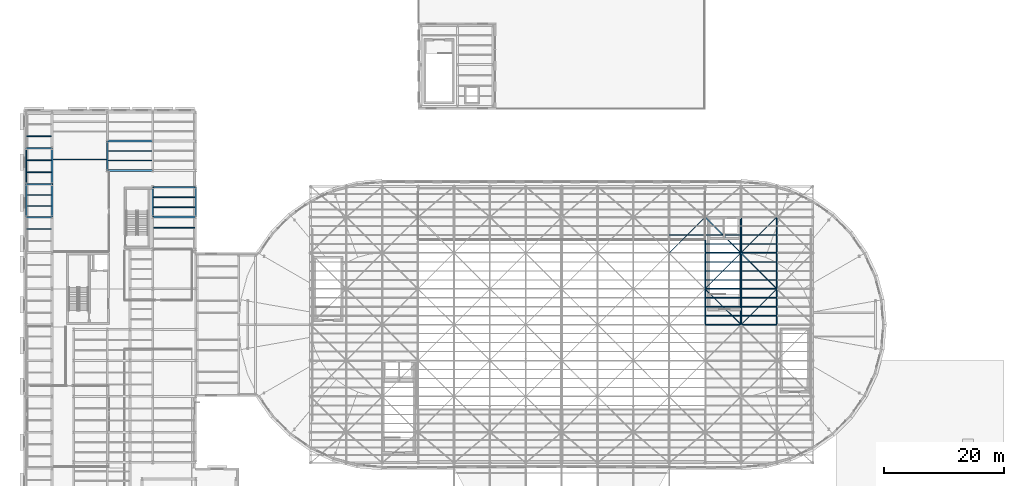
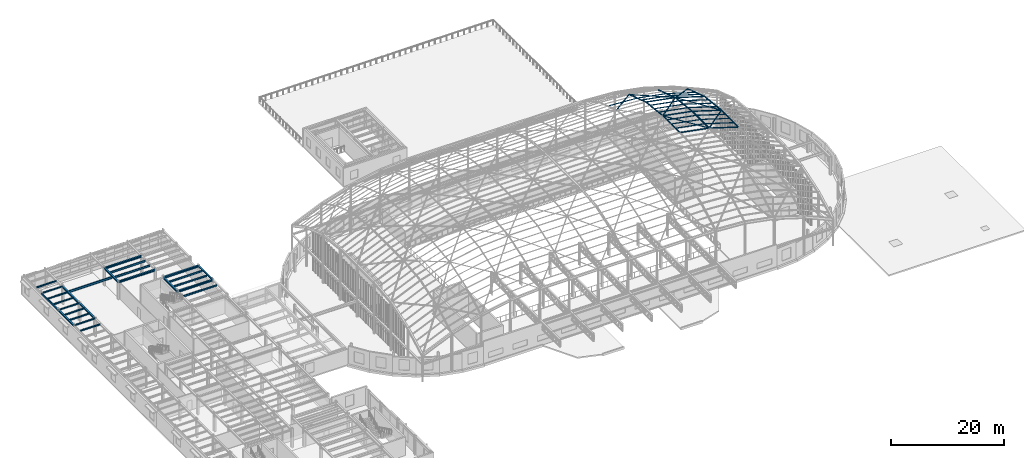
# One storey, part 34 of 75: 39 members, 26 beams.
"""IFC4 building model written with IfcOpenShell, lengths in metres."""

from ifc_helpers import new_model, si_unit, direction, frame, origin, origin_2d, place, context, subcontext, project, spatial, hollow_rectangle, hollow_circle, i_section, extrude, material, material_profile, profile_set, type_object, element, save


model = new_model("IFC4")

# Units and contexts
model_context = context("Model", 3, precision=1e-05, world=origin(), true_north=direction((0.0, 1.0)))
body_context = subcontext(model_context, "Body", "Model", "MODEL_VIEW")
ifc_project = project(units=[si_unit("LENGTHUNIT", "METRE"), si_unit("AREAUNIT", "SQUARE_METRE"), si_unit("VOLUMEUNIT", "CUBIC_METRE"), si_unit("PLANEANGLEUNIT", "RADIAN"), si_unit("MASSUNIT", "GRAM", prefix="KILO")], contexts=[model_context])

# Site, building, storey
site_placement = place(None, origin())
site = spatial("IfcSite", under=ifc_project, at=site_placement, CompositionType="ELEMENT")
building_placement = place(site_placement, origin())
building = spatial("IfcBuilding", under=site, at=building_placement, Name="Kolvaren Corner Interchange", CompositionType="ELEMENT")
storey_placement = place(building_placement, frame((0.0, 0.0, 10.5)))
storey = spatial("IfcBuildingStorey", under=building, at=storey_placement, Name="L03", CompositionType="ELEMENT", Elevation=10.5)

# Beams
ifc_material_1 = material(Name="Steel S355", Category="steel")
ifc_material_profile_1 = material_profile(ifc_material_1, i_section(OverallWidth=0.239990234375, OverallDepth=0.22998046875, WebThickness=0.007568359375, FlangeThickness=0.011962890625, FilletRadius=0.02099609375, at=origin_2d()), Name="HEA 240")
ifc_profile_set_1 = profile_set([ifc_material_profile_1], Name="Steel S355")
beam_type_1 = type_object("IfcBeamType", Name="BM-HEA240", PredefinedType="BEAM", material=ifc_profile_set_1)
for number, where, z_axis, x_axis, name in (
    (1, (0.449951171875, 66.0, 3.8349609375), (1.0, 0.0, 0.0), (0.0, 1.0, 0.0), "Storey L03 Grid X Primary Girder 0958"),
    (2, (0.449951171875, 71.5, 3.8349609375), (1.0, 0.0, 0.0), (0.0, 1.0, 0.0), "Storey L03 Grid X Primary Girder 0959"),
    (3, (0.449951171875, 77.5, 3.81494140625), (1.0, 0.0, 0.0), (0.0, 1.0, 0.0), "Storey L03 Grid X Primary Girder 0962"),
):
    element("IfcBeam", number, at=place(storey_placement, frame(where, z_axis=z_axis, x_axis=x_axis)), inside=storey, type_object=beam_type_1, Name=name, PredefinedType="BEAM", context=body_context, shape_type="SweptSolid", body=[
        extrude(i_section(OverallWidth=0.239990234375, OverallDepth=0.22998046875, WebThickness=0.007568359375, FlangeThickness=0.011962890625, FilletRadius=0.02099609375, at=origin_2d()), origin(), (0.0, 0.0, 1.0), 4.300048828125),
    ])
ifc_material_2 = material(Name="Steel S355", Category="steel")
ifc_material_profile_2 = material_profile(ifc_material_2, i_section(OverallWidth=0.300048828125, OverallDepth=0.31005859375, WebThickness=0.009033203125, FlangeThickness=0.015380859375, FilletRadius=0.027099609375, at=origin_2d()), Name="HEA 320")
ifc_profile_set_2 = profile_set([ifc_material_profile_2], Name="Steel S355")
beam_type_2 = type_object("IfcBeamType", Name="BM-HEA320", PredefinedType="BEAM", material=ifc_profile_set_2)
for number, where, z_axis, x_axis, name in (
    (4, (21.60009765625, 66.0, 3.77490234375), (0.0, 1.0, 0.0), (-1.0, 0.0, 0.0), "Storey L03 Grid Y Primary Girder 0911"),
    (5, (28.800048828125, 66.0, 3.77490234375), (0.0, 1.0, 0.0), (-1.0, 0.0, 0.0), "Storey L03 Grid Y Primary Girder 0919"),
):
    element("IfcBeam", number, at=place(storey_placement, frame(where, z_axis=z_axis, x_axis=x_axis)), inside=storey, type_object=beam_type_2, Name=name, PredefinedType="BEAM", context=body_context, shape_type="SweptSolid", body=[
        extrude(i_section(OverallWidth=0.300048828125, OverallDepth=0.31005859375, WebThickness=0.009033203125, FlangeThickness=0.015380859375, FilletRadius=0.027099609375, at=origin_2d()), origin(), (0.0, 0.0, 1.0), 5.0),
    ])
for number, where, z_axis, x_axis, name in (
    (6, (0.449951171875, 66.0, 3.794921875), (0.0, 1.0, 0.0), (-1.0, 0.0, 0.0), "Storey L03 Grid Y Primary Girder 0985"),
    (7, (4.75, 66.0, 3.794921875), (0.0, 1.0, 0.0), (-1.0, 0.0, 0.0), "Storey L03 Grid Y Primary Girder 0999"),
):
    element("IfcBeam", number, at=place(storey_placement, frame(where, z_axis=z_axis, x_axis=x_axis)), inside=storey, type_object=beam_type_2, Name=name, PredefinedType="BEAM", context=body_context, shape_type="SweptSolid", body=[
        extrude(i_section(OverallWidth=0.300048828125, OverallDepth=0.31005859375, WebThickness=0.009033203125, FlangeThickness=0.015380859375, FilletRadius=0.027099609375, at=origin_2d()), origin(), (0.0, 0.0, 1.0), 5.5),
    ])
beam_1_placement = place(storey_placement, frame((14.0, 73.800048828125, 3.77490234375), z_axis=(0.0, 1.0, 0.0), x_axis=(-1.0, 0.0, 0.0)))
element("IfcBeam", 8, at=beam_1_placement, inside=storey, type_object=beam_type_2, Name="Storey L03 Grid Y Primary Girder 1002", PredefinedType="BEAM", context=body_context, shape_type="SweptSolid", body=[
    extrude(i_section(OverallWidth=0.300048828125, OverallDepth=0.31005859375, WebThickness=0.009033203125, FlangeThickness=0.015380859375, FilletRadius=0.027099609375, at=origin_2d()), origin(), (0.0, 0.0, 1.0), 4.89990234375),
])
ifc_material_3 = material(Name="Steel S355", Category="steel")
ifc_material_profile_3 = material_profile(ifc_material_3, i_section(OverallWidth=0.300048828125, OverallDepth=0.35009765625, WebThickness=0.010009765625, FlangeThickness=0.017578125, FilletRadius=0.027099609375, at=origin_2d()), Name="HEA 360")
ifc_profile_set_3 = profile_set([ifc_material_profile_3], Name="Steel S355")
beam_type_3 = type_object("IfcBeamType", Name="BM-HEA360", PredefinedType="BEAM", material=ifc_profile_set_3)
beam_2_placement = place(storey_placement, frame((4.75, 71.5, 3.7548828125), z_axis=(0.0, 1.0, 0.0), x_axis=(-1.0, 0.0, 0.0)))
element("IfcBeam", 9, at=beam_2_placement, inside=storey, type_object=beam_type_3, Name="Storey L03 Grid Y Primary Girder 1000", PredefinedType="BEAM", context=body_context, shape_type="SweptSolid", body=[
    extrude(i_section(OverallWidth=0.300048828125, OverallDepth=0.35009765625, WebThickness=0.010009765625, FlangeThickness=0.017578125, FilletRadius=0.027099609375, at=origin_2d()), origin(), (0.0, 0.0, 1.0), 6.0),
])
ifc_material_4 = material(Name="Steel S355", Category="steel")
ifc_material_profile_4 = material_profile(ifc_material_4, i_section(OverallWidth=0.300048828125, OverallDepth=0.389892578125, WebThickness=0.010986328125, FlangeThickness=0.01904296875, FilletRadius=0.027099609375, at=origin_2d()), Name="HEA 400")
ifc_profile_set_4 = profile_set([ifc_material_profile_4], Name="Steel S355")
beam_type_4 = type_object("IfcBeamType", Name="BM-HEA400", PredefinedType="BEAM", material=ifc_profile_set_4)
for number, where, z_axis, x_axis, name in (
    (10, (21.60009765625, 66.0, 3.735107421875), (1.0, 0.0, 0.0), (0.0, 1.0, 0.0), "Storey L03 Grid X Primary Girder 0871"),
    (11, (21.60009765625, 71.0, 3.735107421875), (1.0, 0.0, 0.0), (0.0, 1.0, 0.0), "Storey L03 Grid X Primary Girder 0872"),
):
    element("IfcBeam", number, at=place(storey_placement, frame(where, z_axis=z_axis, x_axis=x_axis)), inside=storey, type_object=beam_type_4, Name=name, PredefinedType="BEAM", context=body_context, shape_type="SweptSolid", body=[
        extrude(i_section(OverallWidth=0.300048828125, OverallDepth=0.389892578125, WebThickness=0.010986328125, FlangeThickness=0.01904296875, FilletRadius=0.027099609375, at=origin_2d()), origin(), (0.0, 0.0, 1.0), 7.199951171875),
    ])
for number, where, z_axis, x_axis, name in (
    (12, (14.0, 73.800048828125, 3.735107421875), (1.0, 0.0, 0.0), (0.0, 1.0, 0.0), "Storey L03 Grid X Primary Girder 0960"),
    (13, (14.0, 78.699951171875, 3.735107421875), (1.0, 0.0, 0.0), (0.0, 1.0, 0.0), "Storey L03 Grid X Primary Girder 0963"),
):
    element("IfcBeam", number, at=place(storey_placement, frame(where, z_axis=z_axis, x_axis=x_axis)), inside=storey, type_object=beam_type_4, Name=name, PredefinedType="BEAM", context=body_context, shape_type="SweptSolid", body=[
        extrude(i_section(OverallWidth=0.300048828125, OverallDepth=0.389892578125, WebThickness=0.010986328125, FlangeThickness=0.01904296875, FilletRadius=0.027099609375, at=origin_2d()), origin(), (0.0, 0.0, 1.0), 7.60009765625),
    ])
ifc_material_5 = material(Name="Steel S355", Category="steel")
ifc_material_profile_5 = material_profile(ifc_material_5, i_section(OverallWidth=0.1201171875, OverallDepth=0.239990234375, WebThickness=0.006103515625, FlangeThickness=0.009765625, FilletRadius=0.014892578125, at=origin_2d()), Name="IPE 240")
ifc_profile_set_5 = profile_set([ifc_material_profile_5], Name="Steel S355")
beam_type_5 = type_object("IfcBeamType", Name="JS-IPE240", PredefinedType="JOIST", material=ifc_profile_set_5)
beam_3_placement = place(storey_placement, frame((0.550048828125, 64.0, 3.830078125), z_axis=(1.0, 0.0, 0.0), x_axis=(0.0, 1.0, 0.0)))
element("IfcBeam", 14, at=beam_3_placement, inside=storey, type_object=beam_type_5, Name="Storey L03 Composite Floor Joist 0854", PredefinedType="JOIST", context=body_context, shape_type="SweptSolid", body=[
    extrude(i_section(OverallWidth=0.1201171875, OverallDepth=0.239990234375, WebThickness=0.006103515625, FlangeThickness=0.009765625, FilletRadius=0.014892578125, at=origin_2d()), origin(), (0.0, 0.0, 1.0), 4.050048828125),
])
for number, where, z_axis, x_axis, name in (
    (15, (0.60009765625, 67.833251953125, 3.830078125), (1.0, 0.0, 0.0), (0.0, 1.0, 0.0), "Storey L03 Composite Floor Joist 0855"),
    (16, (0.60009765625, 69.666748046875, 3.830078125), (1.0, 0.0, 0.0), (0.0, 1.0, 0.0), "Storey L03 Composite Floor Joist 0856"),
):
    element("IfcBeam", number, at=place(storey_placement, frame(where, z_axis=z_axis, x_axis=x_axis)), inside=storey, type_object=beam_type_5, Name=name, PredefinedType="JOIST", context=body_context, shape_type="SweptSolid", body=[
        extrude(i_section(OverallWidth=0.1201171875, OverallDepth=0.239990234375, WebThickness=0.006103515625, FlangeThickness=0.009765625, FilletRadius=0.014892578125, at=origin_2d()), origin(), (0.0, 0.0, 1.0), 4.0),
    ])
for number, where, z_axis, x_axis, name in (
    (17, (0.550048828125, 73.5, 3.81005859375), (1.0, 0.0, 0.0), (0.0, 1.0, 0.0), "Storey L03 Composite Floor Joist 0857"),
    (18, (0.550048828125, 75.5, 3.81005859375), (1.0, 0.0, 0.0), (0.0, 1.0, 0.0), "Storey L03 Composite Floor Joist 0858"),
    (19, (0.550048828125, 79.5166015625, 3.81005859375), (1.0, 0.0, 0.0), (0.0, 1.0, 0.0), "Storey L03 Composite Floor Joist 0859"),
):
    element("IfcBeam", number, at=place(storey_placement, frame(where, z_axis=z_axis, x_axis=x_axis)), inside=storey, type_object=beam_type_5, Name=name, PredefinedType="JOIST", context=body_context, shape_type="SweptSolid", body=[
        extrude(i_section(OverallWidth=0.1201171875, OverallDepth=0.239990234375, WebThickness=0.006103515625, FlangeThickness=0.009765625, FilletRadius=0.014892578125, at=origin_2d()), origin(), (0.0, 0.0, 1.0), 4.050048828125),
    ])
ifc_material_6 = material(Name="Steel S355", Category="steel")
ifc_material_profile_6 = material_profile(ifc_material_6, i_section(OverallWidth=0.169921875, OverallDepth=0.360107421875, WebThickness=0.008056640625, FlangeThickness=0.0126953125, FilletRadius=0.01806640625, at=origin_2d()), Name="IPE 360")
ifc_profile_set_6 = profile_set([ifc_material_profile_6], Name="Steel S355")
beam_type_6 = type_object("IfcBeamType", Name="JS-IPE360", PredefinedType="JOIST", material=ifc_profile_set_6)
for number, where, z_axis, x_axis, name in (
    (20, (21.75, 64.199951171875, 3.75), (1.0, 0.0, 0.0), (0.0, 1.0, 0.0), "Storey L03 Composite Floor Joist 0820"),
    (21, (21.75, 67.666748046875, 3.75), (1.0, 0.0, 0.0), (0.0, 1.0, 0.0), "Storey L03 Composite Floor Joist 0821"),
    (22, (21.75, 69.333251953125, 3.75), (1.0, 0.0, 0.0), (0.0, 1.0, 0.0), "Storey L03 Composite Floor Joist 0822"),
):
    element("IfcBeam", number, at=place(storey_placement, frame(where, z_axis=z_axis, x_axis=x_axis)), inside=storey, type_object=beam_type_6, Name=name, PredefinedType="JOIST", context=body_context, shape_type="SweptSolid", body=[
        extrude(i_section(OverallWidth=0.169921875, OverallDepth=0.360107421875, WebThickness=0.008056640625, FlangeThickness=0.0126953125, FilletRadius=0.01806640625, at=origin_2d()), origin(), (0.0, 0.0, 1.0), 6.89990234375),
    ])
ifc_material_7 = material(Name="Steel S355", Category="steel")
ifc_material_profile_7 = material_profile(ifc_material_7, i_section(OverallWidth=0.179931640625, OverallDepth=0.39990234375, WebThickness=0.008544921875, FlangeThickness=0.013427734375, FilletRadius=0.02099609375, at=origin_2d()), Name="IPE 400")
ifc_profile_set_7 = profile_set([ifc_material_profile_7], Name="Steel S355")
beam_type_7 = type_object("IfcBeamType", Name="JS-IPE400", PredefinedType="JOIST", material=ifc_profile_set_7)
for number, where, z_axis, x_axis, name in (
    (23, (14.14990234375, 75.433349609375, 3.72998046875), (1.0, 0.0, 0.0), (0.0, 1.0, 0.0), "Storey L03 Composite Floor Joist 0864"),
    (24, (14.14990234375, 77.066650390625, 3.72998046875), (1.0, 0.0, 0.0), (0.0, 1.0, 0.0), "Storey L03 Composite Floor Joist 0865"),
):
    element("IfcBeam", number, at=place(storey_placement, frame(where, z_axis=z_axis, x_axis=x_axis)), inside=storey, type_object=beam_type_7, Name=name, PredefinedType="JOIST", context=body_context, shape_type="SweptSolid", body=[
        extrude(i_section(OverallWidth=0.179931640625, OverallDepth=0.39990234375, WebThickness=0.008544921875, FlangeThickness=0.013427734375, FilletRadius=0.02099609375, at=origin_2d()), origin(), (0.0, 0.0, 1.0), 7.300048828125),
    ])
ifc_material_8 = material(Name="Steel S355", Category="steel")
ifc_material_profile_8 = material_profile(ifc_material_8, i_section(OverallWidth=0.18994140625, OverallDepth=0.449951171875, WebThickness=0.009521484375, FlangeThickness=0.0146484375, FilletRadius=0.02099609375, at=origin_2d()), Name="IPE 450")
ifc_profile_set_8 = profile_set([ifc_material_profile_8], Name="Steel S355")
beam_type_8 = type_object("IfcBeamType", Name="JS-IPE450", PredefinedType="JOIST", material=ifc_profile_set_8)
beam_4_placement = place(storey_placement, frame((4.89990234375, 75.64990234375, 3.705078125), z_axis=(1.0, 0.0, 0.0), x_axis=(0.0, 1.0, 0.0)))
element("IfcBeam", 25, at=beam_4_placement, inside=storey, type_object=beam_type_8, Name="Storey L03 Composite Floor Joist 0861", PredefinedType="JOIST", context=body_context, shape_type="SweptSolid", body=[
    extrude(i_section(OverallWidth=0.18994140625, OverallDepth=0.449951171875, WebThickness=0.009521484375, FlangeThickness=0.0146484375, FilletRadius=0.02099609375, at=origin_2d()), origin(), (0.0, 0.0, 1.0), 8.9501953125),
])

# Members
ifc_material_9 = material(Name="Steel S355", Category="steel")
ifc_material_profile_9 = material_profile(ifc_material_9, hollow_circle(Radius=0.05078125, WallThickness=0.00634765625, at=origin_2d()), Name="CHS 101.6x6.3")
ifc_profile_set_9 = profile_set([ifc_material_profile_9], Name="Steel S355")
member_type_1 = type_object("IfcMemberType", Name="MEM-BR-CHS102", PredefinedType="BRACE", material=ifc_profile_set_9)
member_1_placement = place(storey_placement, frame((114.0, 54.0, 16.705078125), z_axis=(0.700972726941, -0.700972726941, -0.131432386301), x_axis=(0.707106781187, 0.707106781187, 0.0)))
element("IfcMember", 26, at=member_1_placement, inside=storey, type_object=member_type_1, Name="Concourse Translational Gridshell Nodal Diagonal Brace 0093", PredefinedType="BRACE", context=body_context, shape_type="SweptSolid", body=[
    extrude(hollow_circle(Radius=0.05078125, WallThickness=0.00634765625, at=origin_2d()), origin(), (0.0, 0.0, 1.0), 8.5595703125),
])
member_2_placement = place(storey_placement, frame((114.0, 66.0, 14.0380859375), z_axis=(0.703376927704, -0.703376927704, 0.102575801957), x_axis=(0.707106781187, 0.707106781187, 0.0)))
element("IfcMember", 27, at=member_2_placement, inside=storey, type_object=member_type_1, Name="Concourse Translational Gridshell Nodal Diagonal Brace 0095", PredefinedType="BRACE", context=body_context, shape_type="SweptSolid", body=[
    extrude(hollow_circle(Radius=0.05078125, WallThickness=0.00634765625, at=origin_2d()), origin(), (0.0, 0.0, 1.0), 8.5302734375),
])
member_3_placement = place(storey_placement, frame((120.0, 60.0, 14.9130859375), z_axis=(0.700048143492, -0.700048143492, -0.140943937744), x_axis=(0.707106781187, 0.707106781187, 0.0)))
element("IfcMember", 28, at=member_3_placement, inside=storey, type_object=member_type_1, Name="Concourse Translational Gridshell Nodal Diagonal Brace 0102", PredefinedType="BRACE", context=body_context, shape_type="SweptSolid", body=[
    extrude(hollow_circle(Radius=0.05078125, WallThickness=0.00634765625, at=origin_2d()), origin(), (0.0, 0.0, 1.0), 8.57080078125),
])
ifc_material_10 = material(Name="Steel S355", Category="steel")
ifc_material_profile_10 = material_profile(ifc_material_10, hollow_circle(Radius=0.06982421875, WallThickness=0.008056640625, at=origin_2d()), Name="CHS 139.7x8.0")
ifc_profile_set_10 = profile_set([ifc_material_profile_10], Name="Steel S355")
member_type_2 = type_object("IfcMemberType", Name="MEM-BR-CHS140", PredefinedType="BRACE", material=ifc_profile_set_10)
member_4_placement = place(storey_placement, frame((108.0, 60.0, 16.4130859375), z_axis=(0.680936695779, 0.680936695779, -0.269537442079), x_axis=(-0.707106781187, 0.707106781187, 0.0)))
element("IfcMember", 29, at=member_4_placement, inside=storey, type_object=member_type_2, Name="Concourse Translational Gridshell Nodal Diagonal Brace 0087", PredefinedType="BRACE", context=body_context, shape_type="SweptSolid", body=[
    extrude(hollow_circle(Radius=0.06982421875, WallThickness=0.008056640625, at=origin_2d()), origin(), (0.0, 0.0, 1.0), 8.811279296875),
])
member_5_placement = place(storey_placement, frame((114.0, 54.0, 16.705078125), z_axis=(0.69184672185, 0.69184672185, -0.206630653417), x_axis=(-0.707106781187, 0.707106781187, 0.0)))
element("IfcMember", 30, at=member_5_placement, inside=storey, type_object=member_type_2, Name="Concourse Translational Gridshell Nodal Diagonal Brace 0094", PredefinedType="BRACE", context=body_context, shape_type="SweptSolid", body=[
    extrude(hollow_circle(Radius=0.06982421875, WallThickness=0.008056640625, at=origin_2d()), origin(), (0.0, 0.0, 1.0), 8.67236328125),
])
member_6_placement = place(storey_placement, frame((120.0, 48.0, 15.580078125), z_axis=(0.690450963203, 0.690450963203, -0.215765926001), x_axis=(-0.707106781187, 0.707106781187, 0.0)))
element("IfcMember", 31, at=member_6_placement, inside=storey, type_object=member_type_2, Name="Concourse Translational Gridshell Nodal Diagonal Brace 0101", PredefinedType="BRACE", context=body_context, shape_type="SweptSolid", body=[
    extrude(hollow_circle(Radius=0.06982421875, WallThickness=0.008056640625, at=origin_2d()), origin(), (0.0, 0.0, 1.0), 8.68994140625),
])
member_7_placement = place(storey_placement, frame((120.0, 60.0, 14.9130859375), z_axis=(0.643209763998, 0.643209763998, -0.415406305916), x_axis=(-0.707106781187, 0.707106781187, 0.0)))
element("IfcMember", 32, at=member_7_placement, inside=storey, type_object=member_type_2, Name="Concourse Translational Gridshell Nodal Diagonal Brace 0103", PredefinedType="BRACE", context=body_context, shape_type="SweptSolid", body=[
    extrude(hollow_circle(Radius=0.06982421875, WallThickness=0.008056640625, at=origin_2d()), origin(), (0.0, 0.0, 1.0), 9.328125),
])
ifc_material_11 = material(Name="Steel S355", Category="steel")
ifc_material_profile_11 = material_profile(ifc_material_11, hollow_circle(Radius=0.122314453125, WallThickness=0.012451171875, at=origin_2d()), Name="CHS 244.5x12.5")
ifc_profile_set_11 = profile_set([ifc_material_profile_11], Name="Steel S355")
member_type_3 = type_object("IfcMemberType", Name="MEM-CH-CHS245", PredefinedType="CHORD", material=ifc_profile_set_11)
member_8_placement = place(storey_placement, frame((114.0, 48.0, 16.705078125), z_axis=(0.982872186934, 0.0, -0.18428853505), x_axis=(0.0, 1.0, 0.0)))
element("IfcMember", 33, at=member_8_placement, inside=storey, type_object=member_type_3, Name="Concourse Translational Gridshell Longitudinal Arch Chord 0158", PredefinedType="CHORD", context=body_context, shape_type="SweptSolid", body=[
    extrude(hollow_circle(Radius=0.122314453125, WallThickness=0.012451171875, at=origin_2d()), origin(), (0.0, 0.0, 1.0), 6.1044921875),
])
member_9_placement = place(storey_placement, frame((120.0, 48.0, 15.580078125), z_axis=(0.954479978035, 0.0, -0.298274993136), x_axis=(0.0, 1.0, 0.0)))
element("IfcMember", 34, at=member_9_placement, inside=storey, type_object=member_type_3, Name="Concourse Translational Gridshell Longitudinal Arch Chord 0159", PredefinedType="CHORD", context=body_context, shape_type="SweptSolid", body=[
    extrude(hollow_circle(Radius=0.122314453125, WallThickness=0.012451171875, at=origin_2d()), origin(), (0.0, 0.0, 1.0), 6.2861328125),
])
member_10_placement = place(storey_placement, frame((114.0, 54.0, 16.705078125), z_axis=(0.982872186934, 0.0, -0.18428853505), x_axis=(0.0, 1.0, 0.0)))
element("IfcMember", 35, at=member_10_placement, inside=storey, type_object=member_type_3, Name="Concourse Translational Gridshell Longitudinal Arch Chord 0172", PredefinedType="CHORD", context=body_context, shape_type="SweptSolid", body=[
    extrude(hollow_circle(Radius=0.122314453125, WallThickness=0.012451171875, at=origin_2d()), origin(), (0.0, 0.0, 1.0), 6.1044921875),
])
member_11_placement = place(storey_placement, frame((120.0, 54.0, 15.580078125), z_axis=(0.954479978035, 0.0, -0.298274993136), x_axis=(0.0, 1.0, 0.0)))
element("IfcMember", 36, at=member_11_placement, inside=storey, type_object=member_type_3, Name="Concourse Translational Gridshell Longitudinal Arch Chord 0173", PredefinedType="CHORD", context=body_context, shape_type="SweptSolid", body=[
    extrude(hollow_circle(Radius=0.122314453125, WallThickness=0.012451171875, at=origin_2d()), origin(), (0.0, 0.0, 1.0), 6.2861328125),
])
member_12_placement = place(storey_placement, frame((114.0, 60.0, 16.0380859375), z_axis=(0.982872186934, 0.0, -0.18428853505), x_axis=(0.0, 1.0, 0.0)))
element("IfcMember", 37, at=member_12_placement, inside=storey, type_object=member_type_3, Name="Concourse Translational Gridshell Longitudinal Arch Chord 0186", PredefinedType="CHORD", context=body_context, shape_type="SweptSolid", body=[
    extrude(hollow_circle(Radius=0.122314453125, WallThickness=0.012451171875, at=origin_2d()), origin(), (0.0, 0.0, 1.0), 6.1044921875),
])
member_13_placement = place(storey_placement, frame((120.0, 60.0, 14.9130859375), z_axis=(0.954479978035, 0.0, -0.298274993136), x_axis=(0.0, 1.0, 0.0)))
element("IfcMember", 38, at=member_13_placement, inside=storey, type_object=member_type_3, Name="Concourse Translational Gridshell Longitudinal Arch Chord 0187", PredefinedType="CHORD", context=body_context, shape_type="SweptSolid", body=[
    extrude(hollow_circle(Radius=0.122314453125, WallThickness=0.012451171875, at=origin_2d()), origin(), (0.0, 0.0, 1.0), 6.2861328125),
])
ifc_material_12 = material(Name="Steel S355", Category="steel")
ifc_material_profile_12 = material_profile(ifc_material_12, hollow_circle(Radius=0.136474609375, WallThickness=0.012451171875, at=origin_2d()), Name="CHS 273.0x12.5")
ifc_profile_set_12 = profile_set([ifc_material_profile_12], Name="Steel S355")
member_type_4 = type_object("IfcMemberType", Name="MEM-CH-CHS273", PredefinedType="CHORD", material=ifc_profile_set_12)
member_14_placement = place(storey_placement, frame((114.0, 48.0, 16.705078125), z_axis=(0.0, 1.0, 0.0), x_axis=(-1.0, 0.0, 0.0)))
element("IfcMember", 39, at=member_14_placement, inside=storey, type_object=member_type_4, Name="Concourse Translational Gridshell Transverse Arch Chord 0085", PredefinedType="CHORD", context=body_context, shape_type="SweptSolid", body=[
    extrude(hollow_circle(Radius=0.136474609375, WallThickness=0.012451171875, at=origin_2d()), origin(), (0.0, 0.0, 1.0), 6.0),
])
member_15_placement = place(storey_placement, frame((114.0, 54.0, 16.705078125), z_axis=(0.0, 0.993877815052, -0.110484789662), x_axis=(-1.0, 0.0, 0.0)))
element("IfcMember", 40, at=member_15_placement, inside=storey, type_object=member_type_4, Name="Concourse Translational Gridshell Transverse Arch Chord 0086", PredefinedType="CHORD", context=body_context, shape_type="SweptSolid", body=[
    extrude(hollow_circle(Radius=0.136474609375, WallThickness=0.012451171875, at=origin_2d()), origin(), (0.0, 0.0, 1.0), 6.036865234375),
])
member_16_placement = place(storey_placement, frame((114.0, 60.0, 16.0380859375), z_axis=(0.0, 0.948683298051, -0.316227766017), x_axis=(-1.0, 0.0, 0.0)))
element("IfcMember", 41, at=member_16_placement, inside=storey, type_object=member_type_4, Name="Concourse Translational Gridshell Transverse Arch Chord 0087", PredefinedType="CHORD", context=body_context, shape_type="SweptSolid", body=[
    extrude(hollow_circle(Radius=0.136474609375, WallThickness=0.012451171875, at=origin_2d()), origin(), (0.0, 0.0, 1.0), 6.324462890625),
])
member_17_placement = place(storey_placement, frame((120.0, 48.0, 15.580078125), z_axis=(0.0, 1.0, 0.0), x_axis=(-1.0, 0.0, 0.0)))
element("IfcMember", 42, at=member_17_placement, inside=storey, type_object=member_type_4, Name="Concourse Translational Gridshell Transverse Arch Chord 0093", PredefinedType="CHORD", context=body_context, shape_type="SweptSolid", body=[
    extrude(hollow_circle(Radius=0.136474609375, WallThickness=0.012451171875, at=origin_2d()), origin(), (0.0, 0.0, 1.0), 6.0),
])
member_18_placement = place(storey_placement, frame((120.0, 54.0, 15.580078125), z_axis=(0.0, 0.993877815052, -0.110484789662), x_axis=(-1.0, 0.0, 0.0)))
element("IfcMember", 43, at=member_18_placement, inside=storey, type_object=member_type_4, Name="Concourse Translational Gridshell Transverse Arch Chord 0094", PredefinedType="CHORD", context=body_context, shape_type="SweptSolid", body=[
    extrude(hollow_circle(Radius=0.136474609375, WallThickness=0.012451171875, at=origin_2d()), origin(), (0.0, 0.0, 1.0), 6.036865234375),
])
member_19_placement = place(storey_placement, frame((120.0, 60.0, 14.9130859375), z_axis=(0.0, 0.948683298051, -0.316227766017), x_axis=(-1.0, 0.0, 0.0)))
element("IfcMember", 44, at=member_19_placement, inside=storey, type_object=member_type_4, Name="Concourse Translational Gridshell Transverse Arch Chord 0095", PredefinedType="CHORD", context=body_context, shape_type="SweptSolid", body=[
    extrude(hollow_circle(Radius=0.136474609375, WallThickness=0.012451171875, at=origin_2d()), origin(), (0.0, 0.0, 1.0), 6.324462890625),
])
member_20_placement = place(storey_placement, frame((126.0, 48.0, 13.705078125), z_axis=(0.0, 1.0, 0.0), x_axis=(-1.0, 0.0, 0.0)))
element("IfcMember", 45, at=member_20_placement, inside=storey, type_object=member_type_4, Name="Concourse Translational Gridshell Transverse Arch Chord 0101", PredefinedType="CHORD", context=body_context, shape_type="SweptSolid", body=[
    extrude(hollow_circle(Radius=0.136474609375, WallThickness=0.012451171875, at=origin_2d()), origin(), (0.0, 0.0, 1.0), 6.0),
])
member_21_placement = place(storey_placement, frame((126.0, 54.0, 13.705078125), z_axis=(0.0, 0.993877815052, -0.110484789662), x_axis=(-1.0, 0.0, 0.0)))
element("IfcMember", 46, at=member_21_placement, inside=storey, type_object=member_type_4, Name="Concourse Translational Gridshell Transverse Arch Chord 0102", PredefinedType="CHORD", context=body_context, shape_type="SweptSolid", body=[
    extrude(hollow_circle(Radius=0.136474609375, WallThickness=0.012451171875, at=origin_2d()), origin(), (0.0, 0.0, 1.0), 6.036865234375),
])
member_22_placement = place(storey_placement, frame((126.0, 60.0, 13.0380859375), z_axis=(0.0, 0.948683298051, -0.316227766017), x_axis=(-1.0, 0.0, 0.0)))
element("IfcMember", 47, at=member_22_placement, inside=storey, type_object=member_type_4, Name="Concourse Translational Gridshell Transverse Arch Chord 0103", PredefinedType="CHORD", context=body_context, shape_type="SweptSolid", body=[
    extrude(hollow_circle(Radius=0.136474609375, WallThickness=0.012451171875, at=origin_2d()), origin(), (0.0, 0.0, 1.0), 6.324462890625),
])
ifc_material_13 = material(Name="Steel S355", Category="steel")
ifc_material_profile_13 = material_profile(ifc_material_13, hollow_rectangle(XDim=0.10009765625, YDim=0.179931640625, WallThickness=0.008056640625, InnerFilletRadius=0.008056640625, OuterFilletRadius=0.01611328125, at=origin_2d()), Name="RHS 180x100x8.0")
ifc_profile_set_13 = profile_set([ifc_material_profile_13], Name="Steel S355")
member_type_5 = type_object("IfcMemberType", Name="MEM-PR-RHS180", PredefinedType="PURLIN", material=ifc_profile_set_13)
member_23_placement = place(storey_placement, frame((108.0, 63.0, 15.4609375), z_axis=(0.998052578483, 0.0, -0.062378286155), x_axis=(0.0, 1.0, 0.0)))
element("IfcMember", 48, at=member_23_placement, inside=storey, type_object=member_type_5, Name="Concourse Translational Gridshell Glazing Purlin 0087 Row 2", PredefinedType="PURLIN", context=body_context, shape_type="SweptSolid", body=[
    extrude(hollow_rectangle(XDim=0.10009765625, YDim=0.179931640625, WallThickness=0.008056640625, InnerFilletRadius=0.008056640625, OuterFilletRadius=0.01611328125, at=origin_2d()), origin(), (0.0, 0.0, 1.0), 6.01171875),
])
for number, where, z_axis, x_axis, name in (
    (49, (114.0, 51.0, 16.7529296875), (0.982872186934, 0.0, -0.18428853505), (0.0, 1.0, 0.0), "Concourse Translational Gridshell Glazing Purlin 0093 Row 2"),
    (50, (114.0, 57.0, 16.41943359375), (0.982872186934, 0.0, -0.18428853505), (0.0, 1.0, 0.0), "Concourse Translational Gridshell Glazing Purlin 0094 Row 2"),
    (51, (114.0, 63.0, 15.0859375), (0.982872186934, 0.0, -0.18428853505), (0.0, 1.0, 0.0), "Concourse Translational Gridshell Glazing Purlin 0095 Row 2"),
):
    element("IfcMember", number, at=place(storey_placement, frame(where, z_axis=z_axis, x_axis=x_axis)), inside=storey, type_object=member_type_5, Name=name, PredefinedType="PURLIN", context=body_context, shape_type="SweptSolid", body=[
        extrude(hollow_rectangle(XDim=0.10009765625, YDim=0.179931640625, WallThickness=0.008056640625, InnerFilletRadius=0.008056640625, OuterFilletRadius=0.01611328125, at=origin_2d()), origin(), (0.0, 0.0, 1.0), 6.1044921875),
    ])
for number, where, z_axis, x_axis, name in (
    (52, (120.0, 51.0, 15.6279296875), (0.954479978035, 0.0, -0.298274993136), (0.0, 1.0, 0.0), "Concourse Translational Gridshell Glazing Purlin 0101 Row 2"),
    (53, (120.0, 57.0, 15.29443359375), (0.954479978035, 0.0, -0.298274993136), (0.0, 1.0, 0.0), "Concourse Translational Gridshell Glazing Purlin 0102 Row 2"),
    (54, (120.0, 63.0, 13.9609375), (0.954479978035, 0.0, -0.298274993136), (0.0, 1.0, 0.0), "Concourse Translational Gridshell Glazing Purlin 0103 Row 2"),
):
    element("IfcMember", number, at=place(storey_placement, frame(where, z_axis=z_axis, x_axis=x_axis)), inside=storey, type_object=member_type_5, Name=name, PredefinedType="PURLIN", context=body_context, shape_type="SweptSolid", body=[
        extrude(hollow_rectangle(XDim=0.10009765625, YDim=0.179931640625, WallThickness=0.008056640625, InnerFilletRadius=0.008056640625, OuterFilletRadius=0.01611328125, at=origin_2d()), origin(), (0.0, 0.0, 1.0), 6.2861328125),
    ])
ifc_material_14 = material(Name="Steel S355", Category="steel")
ifc_material_profile_14 = material_profile(ifc_material_14, hollow_rectangle(XDim=0.10009765625, YDim=0.199951171875, WallThickness=0.008056640625, InnerFilletRadius=0.008056640625, OuterFilletRadius=0.01611328125, at=origin_2d()), Name="RHS 200x100x8.0")
ifc_profile_set_14 = profile_set([ifc_material_profile_14], Name="Steel S355")
member_type_6 = type_object("IfcMemberType", Name="MEM-PR-RHS200", PredefinedType="PURLIN", material=ifc_profile_set_14)
for number, where, z_axis, x_axis, name in (
    (55, (114.0, 49.5, 16.742919921875), (0.982872186934, 0.0, -0.18428853505), (0.0, 1.0, 0.0), "Concourse Translational Gridshell Glazing Purlin 0093 Row 1"),
    (56, (114.0, 52.5, 16.742919921875), (0.982872186934, 0.0, -0.18428853505), (0.0, 1.0, 0.0), "Concourse Translational Gridshell Glazing Purlin 0093 Row 3"),
    (57, (114.0, 55.5, 16.576171875), (0.982872186934, 0.0, -0.18428853505), (0.0, 1.0, 0.0), "Concourse Translational Gridshell Glazing Purlin 0094 Row 1"),
    (58, (114.0, 58.5, 16.24267578125), (0.982872186934, 0.0, -0.18428853505), (0.0, 1.0, 0.0), "Concourse Translational Gridshell Glazing Purlin 0094 Row 3"),
    (59, (114.0, 61.5, 15.575927734375), (0.982872186934, 0.0, -0.18428853505), (0.0, 1.0, 0.0), "Concourse Translational Gridshell Glazing Purlin 0095 Row 1"),
):
    element("IfcMember", number, at=place(storey_placement, frame(where, z_axis=z_axis, x_axis=x_axis)), inside=storey, type_object=member_type_6, Name=name, PredefinedType="PURLIN", context=body_context, shape_type="SweptSolid", body=[
        extrude(hollow_rectangle(XDim=0.10009765625, YDim=0.199951171875, WallThickness=0.008056640625, InnerFilletRadius=0.008056640625, OuterFilletRadius=0.01611328125, at=origin_2d()), origin(), (0.0, 0.0, 1.0), 6.1044921875),
    ])
for number, where, z_axis, x_axis, name in (
    (60, (120.0, 49.5, 15.617919921875), (0.954479978035, 0.0, -0.298274993136), (0.0, 1.0, 0.0), "Concourse Translational Gridshell Glazing Purlin 0101 Row 1"),
    (61, (120.0, 52.5, 15.617919921875), (0.954479978035, 0.0, -0.298274993136), (0.0, 1.0, 0.0), "Concourse Translational Gridshell Glazing Purlin 0101 Row 3"),
    (62, (120.0, 55.5, 15.451171875), (0.954479978035, 0.0, -0.298274993136), (0.0, 1.0, 0.0), "Concourse Translational Gridshell Glazing Purlin 0102 Row 1"),
    (63, (120.0, 58.5, 15.11767578125), (0.954479978035, 0.0, -0.298274993136), (0.0, 1.0, 0.0), "Concourse Translational Gridshell Glazing Purlin 0102 Row 3"),
    (64, (120.0, 61.5, 14.450927734375), (0.954479978035, 0.0, -0.298274993136), (0.0, 1.0, 0.0), "Concourse Translational Gridshell Glazing Purlin 0103 Row 1"),
):
    element("IfcMember", number, at=place(storey_placement, frame(where, z_axis=z_axis, x_axis=x_axis)), inside=storey, type_object=member_type_6, Name=name, PredefinedType="PURLIN", context=body_context, shape_type="SweptSolid", body=[
        extrude(hollow_rectangle(XDim=0.10009765625, YDim=0.199951171875, WallThickness=0.008056640625, InnerFilletRadius=0.008056640625, OuterFilletRadius=0.01611328125, at=origin_2d()), origin(), (0.0, 0.0, 1.0), 6.2861328125),
    ])

# Beam
ifc_material_15 = material(Name="Steel S355", Category="steel")
ifc_material_profile_15 = material_profile(ifc_material_15, hollow_rectangle(XDim=0.199951171875, YDim=0.35009765625, WallThickness=0.012451171875, InnerFilletRadius=0.012451171875, OuterFilletRadius=0.02490234375, at=origin_2d()), Name="RHS 350x200x12.5")
ifc_profile_set_15 = profile_set([ifc_material_profile_15], Name="Steel S355")
beam_type_9 = type_object("IfcBeamType", Name="SP-RHS350", PredefinedType="SPANDREL", material=ifc_profile_set_15)
beam_5_placement = place(storey_placement, frame((0.449951171875, 71.5, 3.7548828125), z_axis=(0.0, 1.0, 0.0), x_axis=(-1.0, 0.0, 0.0)))
element("IfcBeam", 65, at=beam_5_placement, inside=storey, type_object=beam_type_9, Name="Storey L03 Grid Y Primary Girder 0986", PredefinedType="SPANDREL", context=body_context, shape_type="SweptSolid", body=[
    extrude(hollow_rectangle(XDim=0.199951171875, YDim=0.35009765625, WallThickness=0.012451171875, InnerFilletRadius=0.012451171875, OuterFilletRadius=0.02490234375, at=origin_2d()), origin(), (0.0, 0.0, 1.0), 6.0),
])

save(model, "model.ifc")
